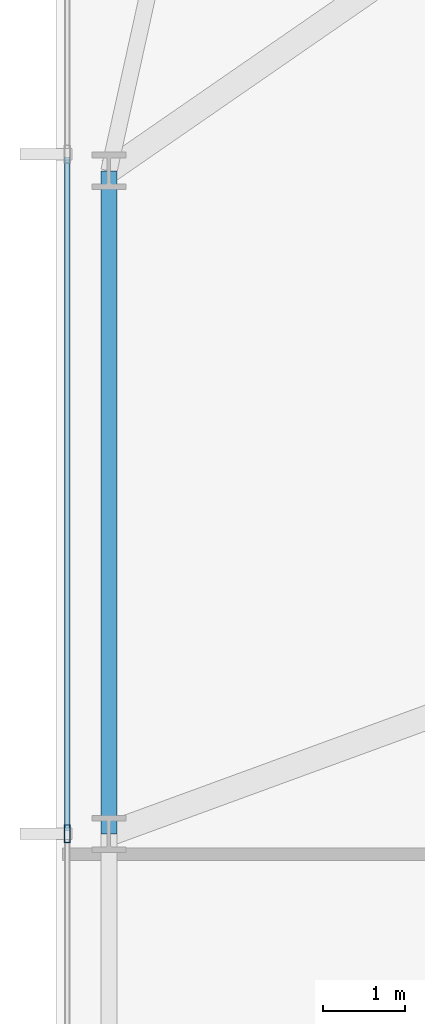
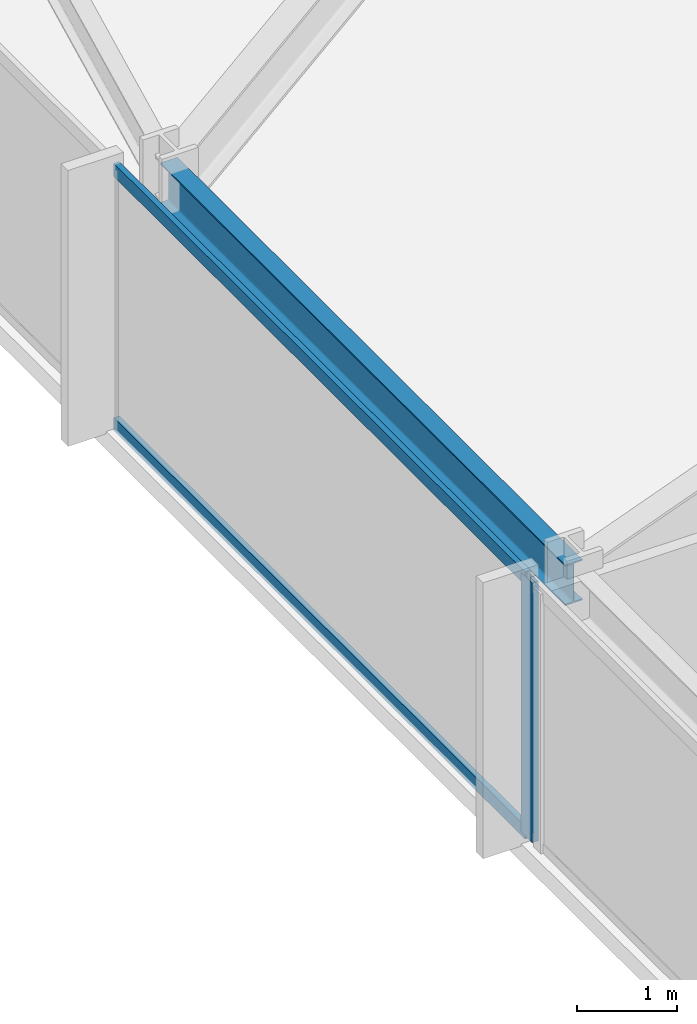
# One storey, part 7 of 32: 3 members, 1 beam, 1 element without a shape of its own.
"""IFC4 building model written with IfcOpenShell, lengths in metres."""

from ifc_helpers import new_model, si_unit, direction, frame, origin, origin_2d, place, context, subcontext, project, spatial, hollow_rectangle, i_section, extrude, material, material_profile, profile_set, type_object, element, aggregate, save


model = new_model("IFC4")

# Units and contexts
model_context = context("Model", 3, precision=1e-05, world=origin(), true_north=direction((0.0, 1.0)))
body_context = subcontext(model_context, "Body", "Model", "MODEL_VIEW")
ifc_project = project(units=[si_unit("LENGTHUNIT", "METRE"), si_unit("AREAUNIT", "SQUARE_METRE"), si_unit("VOLUMEUNIT", "CUBIC_METRE"), si_unit("PLANEANGLEUNIT", "RADIAN"), si_unit("MASSUNIT", "GRAM", prefix="KILO")], contexts=[model_context])

# Site, building, storey
site_placement = place(None, origin())
site = spatial("IfcSite", under=ifc_project, at=site_placement, CompositionType="ELEMENT")
building_placement = place(site_placement, origin())
building = spatial("IfcBuilding", under=site, at=building_placement, Name="Yelkora Congress Tower", CompositionType="ELEMENT")
storey_placement = place(building_placement, frame((0.0, 0.0, 67.800048828125)))
storey = spatial("IfcBuildingStorey", under=building, at=storey_placement, Name="L17", CompositionType="ELEMENT", Elevation=67.800048828125)

# Beam
ifc_material_1 = material(Name="Steel S355J2", Category="steel")
ifc_material_profile_1 = material_profile(ifc_material_1, i_section(OverallWidth=0.199951171875, OverallDepth=0.5, WebThickness=0.01025390625, FlangeThickness=0.01611328125, FilletRadius=0.02099609375, at=origin_2d()), Name="IPE 500")
ifc_profile_set_1 = profile_set([ifc_material_profile_1], Name="Steel S355J2")
beam_type = type_object("IfcBeamType", Name="BM-SPAN-IPE500", PredefinedType="SPANDREL", material=ifc_profile_set_1)
beam_placement = place(storey_placement, frame((6.64990234375, 37.52490234375, 2.929931640625), z_axis=(0.0, -1.0, 0.0), x_axis=(1.0, 0.0, 0.0)))
element("IfcBeam", 1, at=beam_placement, inside=storey, type_object=beam_type, Name="L17 Perimeter Beam 18", PredefinedType="SPANDREL", context=body_context, shape_type="SweptSolid", body=[
    extrude(i_section(OverallWidth=0.199951171875, OverallDepth=0.5, WebThickness=0.01025390625, FlangeThickness=0.01611328125, FilletRadius=0.02099609375, at=origin_2d()), origin(), (0.0, 0.0, 1.0), 8.125),
])

# Curtain wall, members
ifc_material_2 = material(Name="Anodised aluminium and insulated glass", Category="aluminium")
curtain_wall_type = type_object("IfcCurtainWallType", Name="CW-SYS-B1", PredefinedType="NOTDEFINED", material=ifc_material_2)
curtain_wall_placement = place(storey_placement, origin())
curtain_wall = element("IfcCurtainWall", 2, at=curtain_wall_placement, inside=storey, type_object=curtain_wall_type, Name="L17 Unitised Curtain Wall 5", PredefinedType="NOTDEFINED")
ifc_material_3 = material(Name="Anodised aluminium 6063-T6", Category="aluminium")
ifc_material_profile_2 = material_profile(ifc_material_3, hollow_rectangle(XDim=0.074951171875, YDim=0.219970703125, WallThickness=0.0048828125, at=origin_2d()), Name="ALU 75x220x5")
ifc_profile_set_2 = profile_set([ifc_material_profile_2], Name="Anodised aluminium 6063-T6")
member_type_1 = type_object("IfcMemberType", Name="MEM-ML-B1", PredefinedType="MULLION", material=ifc_profile_set_2)
member_1_placement = place(storey_placement, frame((6.139892578125, 29.39990234375, 0.0), z_axis=(0.0, 0.0, 1.0), x_axis=(-1.0, 0.0, 0.0)))
member_1 = element("IfcMember", 3, at=member_1_placement, type_object=member_type_1, Name="CW-B1 mullion 3", PredefinedType="MULLION", context=body_context, shape_type="SweptSolid", body=[
    extrude(hollow_rectangle(XDim=0.074951171875, YDim=0.219970703125, WallThickness=0.0048828125, at=origin_2d()), origin(), (0.0, 0.0, 1.0), 3.179931640625),
])
ifc_material_profile_3 = material_profile(ifc_material_3, hollow_rectangle(XDim=0.06494140625, YDim=0.159912109375, WallThickness=0.00390625, at=origin_2d()), Name="ALU 65x160x4")
ifc_profile_set_3 = profile_set([ifc_material_profile_3], Name="Anodised aluminium 6063-T6")
member_type_2 = type_object("IfcMemberType", Name="MEM-TR-B1", PredefinedType="USERDEFINED", material=ifc_profile_set_3)
member_2_placement = place(storey_placement, frame((6.139892578125, 29.4375, 0.032470703125), z_axis=(0.0, 1.0, 0.0), x_axis=(-1.0, 0.0, 0.0)))
member_2 = element("IfcMember", 4, at=member_2_placement, type_object=member_type_2, Name="CW-B1 transom 3.1", ObjectType="TRANSOM", PredefinedType="USERDEFINED", context=body_context, shape_type="SweptSolid", body=[
    extrude(hollow_rectangle(XDim=0.06494140625, YDim=0.159912109375, WallThickness=0.00390625, at=origin_2d()), origin(), (0.0, 0.0, 1.0), 8.2548828125),
])
member_3_placement = place(storey_placement, frame((6.139892578125, 29.4375, 3.1474609375), z_axis=(0.0, 1.0, 0.0), x_axis=(-1.0, 0.0, 0.0)))
member_3 = element("IfcMember", 5, at=member_3_placement, type_object=member_type_2, Name="CW-B1 transom 3.2", ObjectType="TRANSOM", PredefinedType="USERDEFINED", context=body_context, shape_type="SweptSolid", body=[
    extrude(hollow_rectangle(XDim=0.06494140625, YDim=0.159912109375, WallThickness=0.00390625, at=origin_2d()), origin(), (0.0, 0.0, 1.0), 8.2548828125),
])
aggregate(curtain_wall, [member_1, member_2, member_3])

save(model, "model.ifc")
